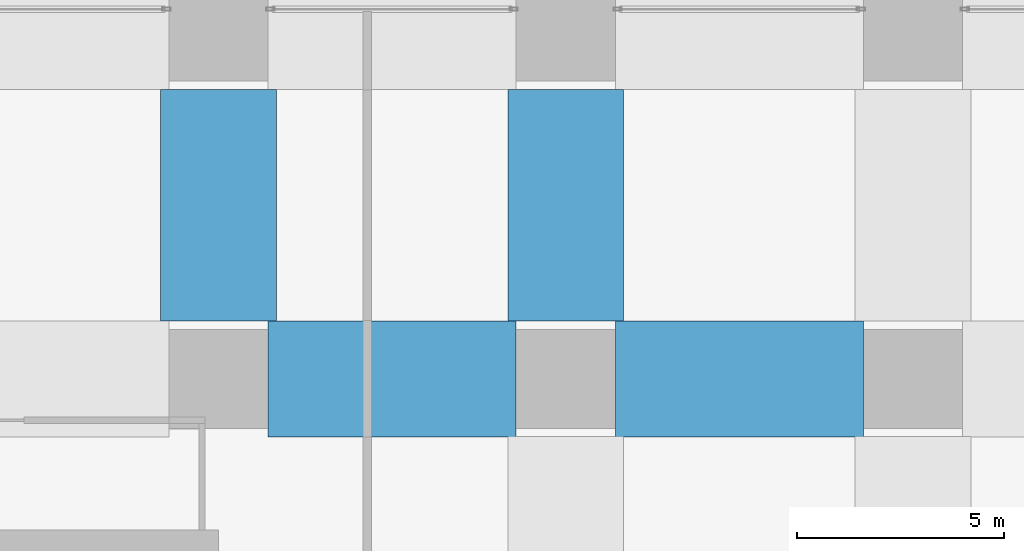
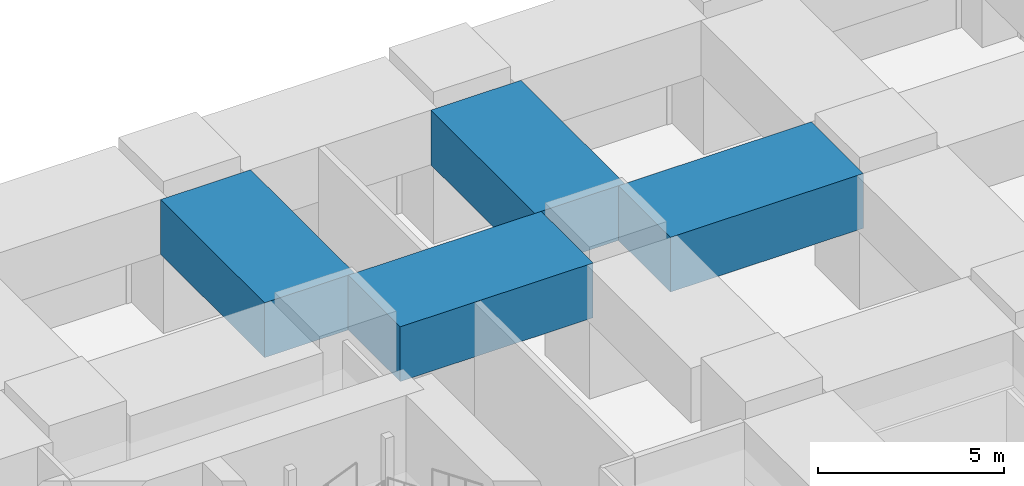
# One storey, part 28 of 52: 4 beams.
"""IFC4 building model written with IfcOpenShell, lengths in metres."""

from ifc_helpers import new_model, si_unit, direction, frame, origin, origin_2d, place, context, subcontext, project, spatial, rectangle, extrude, material, material_profile, profile_set, type_object, element, save


model = new_model("IFC4")

# Units and contexts
model_context = context("Model", 3, precision=1e-05, world=origin(), true_north=direction((0.0, 1.0)))
body_context = subcontext(model_context, "Body", "Model", "MODEL_VIEW")
ifc_project = project(units=[si_unit("LENGTHUNIT", "METRE"), si_unit("AREAUNIT", "SQUARE_METRE"), si_unit("VOLUMEUNIT", "CUBIC_METRE"), si_unit("PLANEANGLEUNIT", "RADIAN"), si_unit("MASSUNIT", "GRAM", prefix="KILO")], contexts=[model_context])

# Site, building, storey
site_placement = place(None, origin())
site = spatial("IfcSite", under=ifc_project, at=site_placement, CompositionType="ELEMENT")
building_placement = place(site_placement, origin())
building = spatial("IfcBuilding", under=site, at=building_placement, Name="Rekha Terrace Tower", CompositionType="ELEMENT")
storey_placement = place(building_placement, frame((0.0, 0.0, 20.39990234375)))
storey = spatial("IfcBuildingStorey", under=building, at=storey_placement, Name="L04", CompositionType="ELEMENT", Elevation=20.39990234375)

# Beams
ifc_material = material(Name="Concrete M70", Category="concrete")
ifc_material_profile = material_profile(ifc_material, rectangle(XDim=2.800048828125, YDim=1.800048828125, at=origin_2d()), Name="RC 2800x1800")
ifc_profile_set = profile_set([ifc_material_profile], Name="Concrete M70")
beam_type = type_object("IfcBeamType", Name="G2 2800x1800 podium roof band beam", PredefinedType="BEAM", material=ifc_profile_set)
beam_1_placement = place(storey_placement, frame((51.60009765625, 50.39990234375, 3.7001953125), z_axis=(1.0, 0.0, 0.0), x_axis=(0.0, 1.0, 0.0)))
element("IfcBeam", 1, at=beam_1_placement, inside=storey, type_object=beam_type, Name="Beam G2 7G-8G under L05", PredefinedType="BEAM", context=body_context, shape_type="SweptSolid", body=[
    extrude(rectangle(XDim=2.800048828125, YDim=1.800048828125, at=origin_2d()), origin(), (0.0, 0.0, 1.0), 6.0),
])
beam_2_placement = place(storey_placement, frame((50.39990234375, 51.800048828125, 3.7001953125), z_axis=(0.0, 1.0, 0.0), x_axis=(-1.0, 0.0, 0.0)))
element("IfcBeam", 2, at=beam_2_placement, inside=storey, type_object=beam_type, Name="Beam G2 7G-7H under L05", PredefinedType="BEAM", context=body_context, shape_type="SweptSolid", body=[
    extrude(rectangle(XDim=2.800048828125, YDim=1.800048828125, at=origin_2d()), origin(), (0.0, 0.0, 1.0), 5.599853515625),
])
beam_3_placement = place(storey_placement, frame((60.0, 50.39990234375, 3.7001953125), z_axis=(1.0, 0.0, 0.0), x_axis=(0.0, 1.0, 0.0)))
element("IfcBeam", 3, at=beam_3_placement, inside=storey, type_object=beam_type, Name="Beam G2 8G-9G under L05", PredefinedType="BEAM", context=body_context, shape_type="SweptSolid", body=[
    extrude(rectangle(XDim=2.800048828125, YDim=1.800048828125, at=origin_2d()), origin(), (0.0, 0.0, 1.0), 6.0),
])
beam_4_placement = place(storey_placement, frame((58.800048828125, 51.800048828125, 3.7001953125), z_axis=(0.0, 1.0, 0.0), x_axis=(-1.0, 0.0, 0.0)))
element("IfcBeam", 4, at=beam_4_placement, inside=storey, type_object=beam_type, Name="Beam G2 8G-8H under L05", PredefinedType="BEAM", context=body_context, shape_type="SweptSolid", body=[
    extrude(rectangle(XDim=2.800048828125, YDim=1.800048828125, at=origin_2d()), origin(), (0.0, 0.0, 1.0), 5.599853515625),
])

save(model, "model.ifc")
